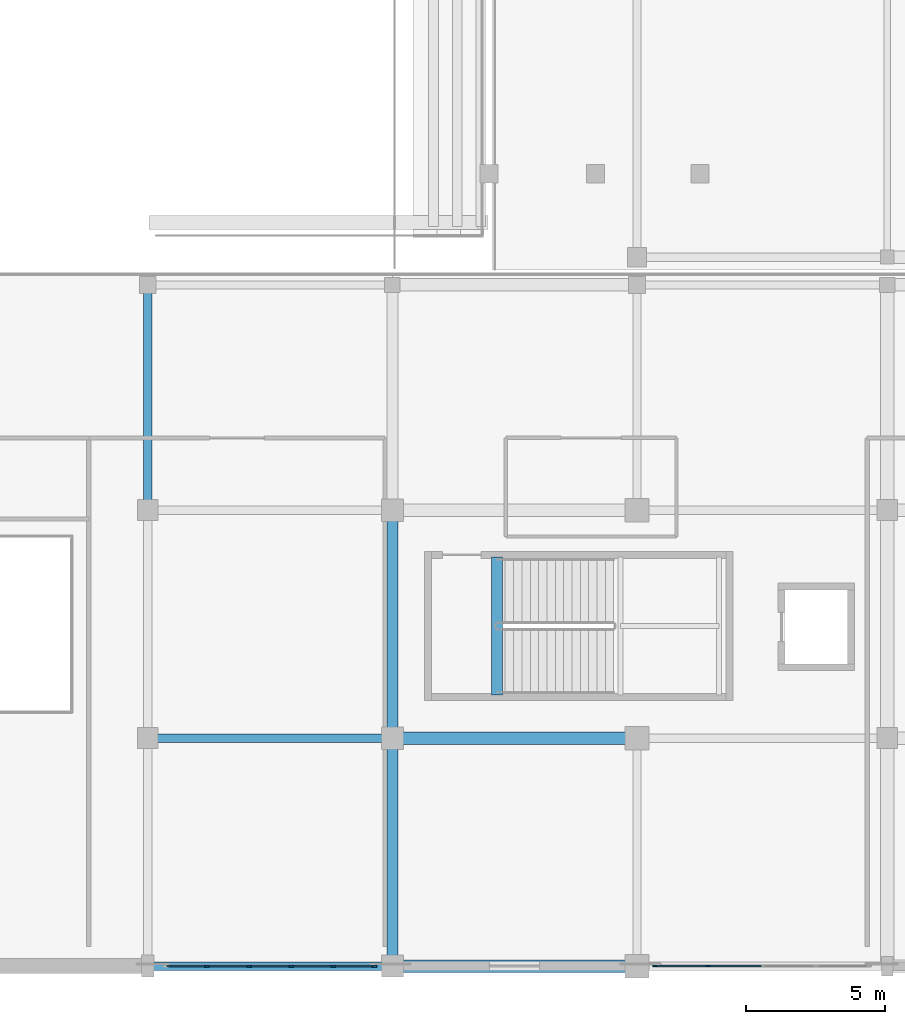
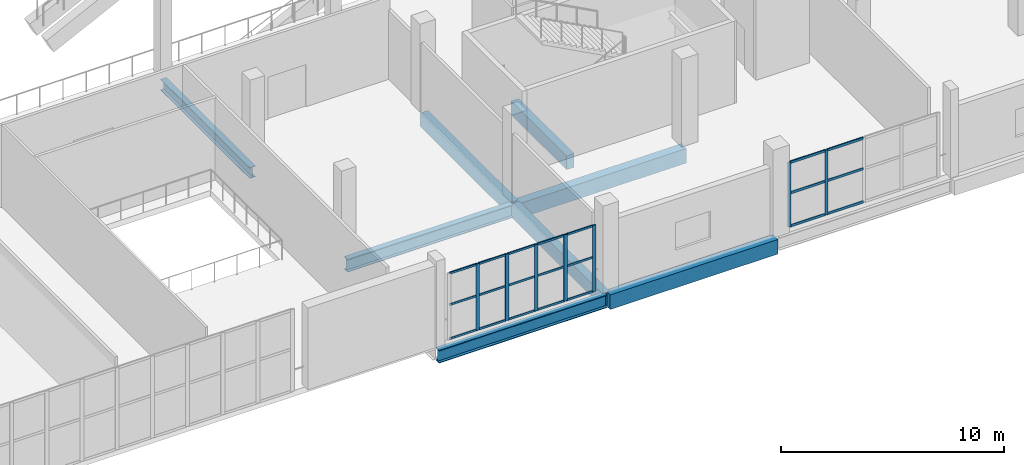
# One storey, part 33 of 129: 28 members, 8 beams, 2 elements without a shape of their own.
"""IFC4 building model written with IfcOpenShell, lengths in metres."""

from ifc_helpers import new_model, si_unit, direction, frame, origin, origin_2d, place, context, subcontext, project, spatial, rectangle, i_section, extrude, material, material_profile, profile_set, type_object, element, aggregate, save


model = new_model("IFC4")

# Units and contexts
model_context = context("Model", 3, precision=1e-05, world=origin(), true_north=direction((0.0, 1.0)))
body_context = subcontext(model_context, "Body", "Model", "MODEL_VIEW")
ifc_project = project(units=[si_unit("LENGTHUNIT", "METRE"), si_unit("AREAUNIT", "SQUARE_METRE"), si_unit("VOLUMEUNIT", "CUBIC_METRE"), si_unit("PLANEANGLEUNIT", "RADIAN"), si_unit("MASSUNIT", "GRAM", prefix="KILO")], contexts=[model_context])

# Site, building, storey
site_placement = place(None, origin())
site = spatial("IfcSite", under=ifc_project, at=site_placement, CompositionType="ELEMENT")
building_placement = place(site_placement, origin())
building = spatial("IfcBuilding", under=site, at=building_placement, Name="Koshinbarg Plaza Stadium", CompositionType="ELEMENT")
storey_placement = place(building_placement, frame((0.0, 0.0, 5.39990234375)))
storey = spatial("IfcBuildingStorey", under=building, at=storey_placement, Name="L01", CompositionType="ELEMENT", Elevation=5.39990234375)

# Beams
ifc_material_1 = material(Name="Concrete C40/50", Category="concrete")
ifc_material_profile_1 = material_profile(ifc_material_1, rectangle(XDim=0.39990234375, YDim=0.75, at=origin_2d()), Name="RC 400x750")
ifc_profile_set_1 = profile_set([ifc_material_profile_1], Name="Concrete C40/50")
beam_type_1 = type_object("IfcBeamType", Name="BM-RCG-03", PredefinedType="USERDEFINED", material=ifc_profile_set_1)
beam_1_placement = place(storey_placement, frame((171.60009765625, 0.06005859375, -0.69482421875), z_axis=(0.0, 1.0, 0.0), x_axis=(-1.0, 0.0, 0.0)))
element("IfcBeam", 1, at=beam_1_placement, inside=storey, type_object=beam_type_1, Name="L01 Y girder 16/A-B", ObjectType="GIRDER", PredefinedType="USERDEFINED", context=body_context, shape_type="SweptSolid", body=[
    extrude(rectangle(XDim=0.39990234375, YDim=0.75, at=origin_2d()), origin(), (0.0, 0.0, 1.0), 8.079833984375),
])
beam_2_placement = place(storey_placement, frame((171.60009765625, 8.260009765625, -0.69482421875), z_axis=(0.0, 1.0, 0.0), x_axis=(-1.0, 0.0, 0.0)))
element("IfcBeam", 2, at=beam_2_placement, inside=storey, type_object=beam_type_1, Name="L01 Y girder 16/B-C", ObjectType="GIRDER", PredefinedType="USERDEFINED", context=body_context, shape_type="SweptSolid", body=[
    extrude(rectangle(XDim=0.39990234375, YDim=0.75, at=origin_2d()), origin(), (0.0, 0.0, 1.0), 8.080078125),
])
beam_3_placement = place(storey_placement, frame((175.360107421875, 9.75, -0.375), z_axis=(0.0, 1.0, 0.0), x_axis=(-1.0, 0.0, 0.0)))
element("IfcBeam", 3, at=beam_3_placement, inside=storey, type_object=beam_type_1, Name="L01 stair landing header beam C14", ObjectType="GIRDER", PredefinedType="USERDEFINED", context=body_context, shape_type="SweptSolid", body=[
    extrude(rectangle(XDim=0.39990234375, YDim=0.75, at=origin_2d()), origin(), (0.0, 0.0, 1.0), 4.969970703125),
])
ifc_material_profile_2 = material_profile(ifc_material_1, rectangle(XDim=0.449951171875, YDim=0.800048828125, at=origin_2d()), Name="RC 450x800")
ifc_profile_set_2 = profile_set([ifc_material_profile_2], Name="Concrete C40/50")
beam_type_2 = type_object("IfcBeamType", Name="BM-RCG-04", PredefinedType="USERDEFINED", material=ifc_profile_set_2)
for number, where, z_axis, x_axis, name in (
    (4, (171.659912109375, 0.0, -0.719970703125), (1.0, 0.0, 0.0), (0.0, 1.0, 0.0), "L01 X girder A/16-17"),
    (5, (171.659912109375, 8.199951171875, -0.719970703125), (1.0, 0.0, 0.0), (0.0, 1.0, 0.0), "L01 X girder B/16-17"),
):
    element("IfcBeam", number, at=place(storey_placement, frame(where, z_axis=z_axis, x_axis=x_axis)), inside=storey, type_object=beam_type_2, Name=name, ObjectType="GIRDER", PredefinedType="USERDEFINED", context=body_context, shape_type="SweptSolid", body=[
        extrude(rectangle(XDim=0.449951171875, YDim=0.800048828125, at=origin_2d()), origin(), (0.0, 0.0, 1.0), 8.68017578125),
    ])
ifc_material_2 = material(Name="Steel S355", Category="steel")
ifc_material_profile_3 = material_profile(ifc_material_2, i_section(OverallWidth=0.300048828125, OverallDepth=0.60009765625, WebThickness=0.015380859375, FlangeThickness=0.030029296875, at=origin_2d()), Name="HEB 600")
ifc_profile_set_3 = profile_set([ifc_material_profile_3], Name="Steel S355")
beam_type_3 = type_object("IfcBeamType", Name="BM-SGIR-02", PredefinedType="USERDEFINED", material=ifc_profile_set_3)
beam_4_placement = place(storey_placement, frame((162.800048828125, 16.4599609375, -0.619873046875), z_axis=(0.0, 1.0, 0.0), x_axis=(-1.0, 0.0, 0.0)))
element("IfcBeam", 6, at=beam_4_placement, inside=storey, type_object=beam_type_3, Name="L01 Y girder 15/C-D", ObjectType="GIRDER", PredefinedType="USERDEFINED", context=body_context, shape_type="SweptSolid", body=[
    extrude(i_section(OverallWidth=0.300048828125, OverallDepth=0.60009765625, WebThickness=0.015380859375, FlangeThickness=0.030029296875, at=origin_2d()), origin(), (0.0, 0.0, 1.0), 7.97998046875),
])
ifc_material_profile_4 = material_profile(ifc_material_2, i_section(OverallWidth=0.300048828125, OverallDepth=0.699951171875, WebThickness=0.01708984375, FlangeThickness=0.031982421875, at=origin_2d()), Name="HEB 700")
ifc_profile_set_4 = profile_set([ifc_material_profile_4], Name="Steel S355")
beam_type_4 = type_object("IfcBeamType", Name="BM-SGIR-03", PredefinedType="USERDEFINED", material=ifc_profile_set_4)
for number, where, z_axis, x_axis, name in (
    (7, (162.860107421875, 0.0, -0.669921875), (1.0, 0.0, 0.0), (0.0, 1.0, 0.0), "L01 X girder A/15-16"),
    (8, (162.860107421875, 8.199951171875, -0.669921875), (1.0, 0.0, 0.0), (0.0, 1.0, 0.0), "L01 X girder B/15-16"),
):
    element("IfcBeam", number, at=place(storey_placement, frame(where, z_axis=z_axis, x_axis=x_axis)), inside=storey, type_object=beam_type_4, Name=name, ObjectType="GIRDER", PredefinedType="USERDEFINED", context=body_context, shape_type="SweptSolid", body=[
        extrude(i_section(OverallWidth=0.300048828125, OverallDepth=0.699951171875, WebThickness=0.01708984375, FlangeThickness=0.031982421875, at=origin_2d()), origin(), (0.0, 0.0, 1.0), 8.679931640625),
    ])

# Curtain wall, members
ifc_material_3 = material(Name="Thermally broken anodised aluminium and low-E double glazing", Category="aluminium")
curtain_wall_type_1 = type_object("IfcCurtainWallType", Name="CW-SYS-14", PredefinedType="NOTDEFINED", material=ifc_material_3)
curtain_wall_1_placement = place(storey_placement, origin())
curtain_wall_1 = element("IfcCurtainWall", 9, at=curtain_wall_1_placement, inside=storey, type_object=curtain_wall_type_1, Name="L01 unitised curtain wall CW-L01-029", PredefinedType="NOTDEFINED")
ifc_material_4 = material(Name="Anodised aluminium mullion", Category="aluminium")
ifc_material_profile_5 = material_profile(ifc_material_4, rectangle(XDim=0.06005859375, YDim=0.159912109375, at=origin_2d()), Name="ALU 60x160")
ifc_profile_set_5 = profile_set([ifc_material_profile_5], Name="Anodised aluminium mullion")
member_type_1 = type_object("IfcMemberType", Name="CW-MUL-02", PredefinedType="MULLION", material=ifc_profile_set_5)
member_1_placement = place(storey_placement, frame((182.9599609375, 0.0, 0.0), z_axis=(0.0, 0.0, 1.0), x_axis=(0.0, -1.0, 0.0)))
member_1 = element("IfcMember", 10, at=member_1_placement, type_object=member_type_1, Name="CW14 mullion 4", PredefinedType="MULLION", context=body_context, shape_type="SweptSolid", body=[
    extrude(rectangle(XDim=0.06005859375, YDim=0.159912109375, at=origin_2d()), origin(), (0.0, 0.0, 1.0), 3.530029296875),
])
member_2_placement = place(storey_placement, frame((181.050048828125, 0.0, 0.0), z_axis=(0.0, 0.0, 1.0), x_axis=(0.0, -1.0, 0.0)))
member_2 = element("IfcMember", 11, at=member_2_placement, type_object=member_type_1, Name="CW14 mullion 5", PredefinedType="MULLION", context=body_context, shape_type="SweptSolid", body=[
    extrude(rectangle(XDim=0.06005859375, YDim=0.159912109375, at=origin_2d()), origin(), (0.0, 0.0, 1.0), 3.530029296875),
])

curtain_wall_type_2 = type_object("IfcCurtainWallType", Name="CW-SYS-15", PredefinedType="NOTDEFINED", material=ifc_material_3)
curtain_wall_2_placement = place(storey_placement, origin())
curtain_wall_2 = element("IfcCurtainWall", 12, at=curtain_wall_2_placement, inside=storey, type_object=curtain_wall_type_2, Name="L01 unitised curtain wall CW-L01-030", PredefinedType="NOTDEFINED")
ifc_material_profile_6 = material_profile(ifc_material_4, rectangle(XDim=0.070068359375, YDim=0.179931640625, at=origin_2d()), Name="ALU 70x180")
ifc_profile_set_6 = profile_set([ifc_material_profile_6], Name="Anodised aluminium mullion")
member_type_2 = type_object("IfcMemberType", Name="CW-MUL-03", PredefinedType="MULLION", material=ifc_profile_set_6)
member_3_placement = place(storey_placement, frame((170.949951171875, 0.0, 0.0), z_axis=(0.0, 0.0, 1.0), x_axis=(0.0, -1.0, 0.0)))
member_3 = element("IfcMember", 13, at=member_3_placement, type_object=member_type_2, Name="CW15 mullion 1", PredefinedType="MULLION", context=body_context, shape_type="SweptSolid", body=[
    extrude(rectangle(XDim=0.070068359375, YDim=0.179931640625, at=origin_2d()), origin(), (0.0, 0.0, 1.0), 3.630126953125),
])
member_4_placement = place(storey_placement, frame((169.468017578125, 0.0, 0.0), z_axis=(0.0, 0.0, 1.0), x_axis=(0.0, -1.0, 0.0)))
member_4 = element("IfcMember", 14, at=member_4_placement, type_object=member_type_2, Name="CW15 mullion 2", PredefinedType="MULLION", context=body_context, shape_type="SweptSolid", body=[
    extrude(rectangle(XDim=0.070068359375, YDim=0.179931640625, at=origin_2d()), origin(), (0.0, 0.0, 1.0), 3.630126953125),
])
member_5_placement = place(storey_placement, frame((167.9560546875, 0.0, 0.0), z_axis=(0.0, 0.0, 1.0), x_axis=(0.0, -1.0, 0.0)))
member_5 = element("IfcMember", 15, at=member_5_placement, type_object=member_type_2, Name="CW15 mullion 3", PredefinedType="MULLION", context=body_context, shape_type="SweptSolid", body=[
    extrude(rectangle(XDim=0.070068359375, YDim=0.179931640625, at=origin_2d()), origin(), (0.0, 0.0, 1.0), 3.630126953125),
])
member_6_placement = place(storey_placement, frame((166.444091796875, 0.0, 0.0), z_axis=(0.0, 0.0, 1.0), x_axis=(0.0, -1.0, 0.0)))
member_6 = element("IfcMember", 16, at=member_6_placement, type_object=member_type_2, Name="CW15 mullion 4", PredefinedType="MULLION", context=body_context, shape_type="SweptSolid", body=[
    extrude(rectangle(XDim=0.070068359375, YDim=0.179931640625, at=origin_2d()), origin(), (0.0, 0.0, 1.0), 3.630126953125),
])
member_7_placement = place(storey_placement, frame((164.931884765625, 0.0, 0.0), z_axis=(0.0, 0.0, 1.0), x_axis=(0.0, -1.0, 0.0)))
member_7 = element("IfcMember", 17, at=member_7_placement, type_object=member_type_2, Name="CW15 mullion 5", PredefinedType="MULLION", context=body_context, shape_type="SweptSolid", body=[
    extrude(rectangle(XDim=0.070068359375, YDim=0.179931640625, at=origin_2d()), origin(), (0.0, 0.0, 1.0), 3.630126953125),
])
ifc_material_5 = material(Name="Anodised aluminium transom", Category="aluminium")
ifc_material_profile_7 = material_profile(ifc_material_5, rectangle(XDim=0.06005859375, YDim=0.110107421875, at=origin_2d()), Name="ALU 60x110")
ifc_profile_set_7 = profile_set([ifc_material_profile_7], Name="Anodised aluminium transom")
member_type_3 = type_object("IfcMemberType", Name="CW-TRN-01", PredefinedType="USERDEFINED", material=ifc_profile_set_7)
member_8_placement = place(storey_placement, frame((170.919921875, 0.0, 0.030029296875), z_axis=(-1.0, 0.0, 0.0), x_axis=(0.0, -1.0, 0.0)))
member_8 = element("IfcMember", 18, at=member_8_placement, type_object=member_type_3, Name="CW15 transom 1.1", ObjectType="TRANSOM", PredefinedType="USERDEFINED", context=body_context, shape_type="SweptSolid", body=[
    extrude(rectangle(XDim=0.06005859375, YDim=0.110107421875, at=origin_2d()), origin(), (0.0, 0.0, 1.0), 1.421875),
])
member_9_placement = place(storey_placement, frame((170.919921875, 0.0, 1.8876953125), z_axis=(-1.0, 0.0, 0.0), x_axis=(0.0, -1.0, 0.0)))
member_9 = element("IfcMember", 19, at=member_9_placement, type_object=member_type_3, Name="CW15 transom 1.2", ObjectType="TRANSOM", PredefinedType="USERDEFINED", context=body_context, shape_type="SweptSolid", body=[
    extrude(rectangle(XDim=0.06005859375, YDim=0.110107421875, at=origin_2d()), origin(), (0.0, 0.0, 1.0), 1.421875),
])
member_10_placement = place(storey_placement, frame((170.919921875, 0.0, 3.60009765625), z_axis=(-1.0, 0.0, 0.0), x_axis=(0.0, -1.0, 0.0)))
member_10 = element("IfcMember", 20, at=member_10_placement, type_object=member_type_3, Name="CW15 transom 1.3", ObjectType="TRANSOM", PredefinedType="USERDEFINED", context=body_context, shape_type="SweptSolid", body=[
    extrude(rectangle(XDim=0.06005859375, YDim=0.110107421875, at=origin_2d()), origin(), (0.0, 0.0, 1.0), 1.421875),
])
member_11_placement = place(storey_placement, frame((169.43798828125, 0.0, 0.030029296875), z_axis=(-1.0, 0.0, 0.0), x_axis=(0.0, -1.0, 0.0)))
member_11 = element("IfcMember", 21, at=member_11_placement, type_object=member_type_3, Name="CW15 transom 2.1", ObjectType="TRANSOM", PredefinedType="USERDEFINED", context=body_context, shape_type="SweptSolid", body=[
    extrude(rectangle(XDim=0.06005859375, YDim=0.110107421875, at=origin_2d()), origin(), (0.0, 0.0, 1.0), 1.451904296875),
])
member_12_placement = place(storey_placement, frame((169.43798828125, 0.0, 1.8876953125), z_axis=(-1.0, 0.0, 0.0), x_axis=(0.0, -1.0, 0.0)))
member_12 = element("IfcMember", 22, at=member_12_placement, type_object=member_type_3, Name="CW15 transom 2.2", ObjectType="TRANSOM", PredefinedType="USERDEFINED", context=body_context, shape_type="SweptSolid", body=[
    extrude(rectangle(XDim=0.06005859375, YDim=0.110107421875, at=origin_2d()), origin(), (0.0, 0.0, 1.0), 1.451904296875),
])
member_13_placement = place(storey_placement, frame((169.43798828125, 0.0, 3.60009765625), z_axis=(-1.0, 0.0, 0.0), x_axis=(0.0, -1.0, 0.0)))
member_13 = element("IfcMember", 23, at=member_13_placement, type_object=member_type_3, Name="CW15 transom 2.3", ObjectType="TRANSOM", PredefinedType="USERDEFINED", context=body_context, shape_type="SweptSolid", body=[
    extrude(rectangle(XDim=0.06005859375, YDim=0.110107421875, at=origin_2d()), origin(), (0.0, 0.0, 1.0), 1.451904296875),
])
member_14_placement = place(storey_placement, frame((167.926025390625, 0.0, 0.030029296875), z_axis=(-1.0, 0.0, 0.0), x_axis=(0.0, -1.0, 0.0)))
member_14 = element("IfcMember", 24, at=member_14_placement, type_object=member_type_3, Name="CW15 transom 3.1", ObjectType="TRANSOM", PredefinedType="USERDEFINED", context=body_context, shape_type="SweptSolid", body=[
    extrude(rectangle(XDim=0.06005859375, YDim=0.110107421875, at=origin_2d()), origin(), (0.0, 0.0, 1.0), 1.451904296875),
])
member_15_placement = place(storey_placement, frame((167.926025390625, 0.0, 1.8876953125), z_axis=(-1.0, 0.0, 0.0), x_axis=(0.0, -1.0, 0.0)))
member_15 = element("IfcMember", 25, at=member_15_placement, type_object=member_type_3, Name="CW15 transom 3.2", ObjectType="TRANSOM", PredefinedType="USERDEFINED", context=body_context, shape_type="SweptSolid", body=[
    extrude(rectangle(XDim=0.06005859375, YDim=0.110107421875, at=origin_2d()), origin(), (0.0, 0.0, 1.0), 1.451904296875),
])
member_16_placement = place(storey_placement, frame((167.926025390625, 0.0, 3.60009765625), z_axis=(-1.0, 0.0, 0.0), x_axis=(0.0, -1.0, 0.0)))
member_16 = element("IfcMember", 26, at=member_16_placement, type_object=member_type_3, Name="CW15 transom 3.3", ObjectType="TRANSOM", PredefinedType="USERDEFINED", context=body_context, shape_type="SweptSolid", body=[
    extrude(rectangle(XDim=0.06005859375, YDim=0.110107421875, at=origin_2d()), origin(), (0.0, 0.0, 1.0), 1.451904296875),
])
member_17_placement = place(storey_placement, frame((166.4140625, 0.0, 0.030029296875), z_axis=(-1.0, 0.0, 0.0), x_axis=(0.0, -1.0, 0.0)))
member_17 = element("IfcMember", 27, at=member_17_placement, type_object=member_type_3, Name="CW15 transom 4.1", ObjectType="TRANSOM", PredefinedType="USERDEFINED", context=body_context, shape_type="SweptSolid", body=[
    extrude(rectangle(XDim=0.06005859375, YDim=0.110107421875, at=origin_2d()), origin(), (0.0, 0.0, 1.0), 1.4521484375),
])
member_18_placement = place(storey_placement, frame((166.4140625, 0.0, 1.8876953125), z_axis=(-1.0, 0.0, 0.0), x_axis=(0.0, -1.0, 0.0)))
member_18 = element("IfcMember", 28, at=member_18_placement, type_object=member_type_3, Name="CW15 transom 4.2", ObjectType="TRANSOM", PredefinedType="USERDEFINED", context=body_context, shape_type="SweptSolid", body=[
    extrude(rectangle(XDim=0.06005859375, YDim=0.110107421875, at=origin_2d()), origin(), (0.0, 0.0, 1.0), 1.4521484375),
])
member_19_placement = place(storey_placement, frame((166.4140625, 0.0, 3.60009765625), z_axis=(-1.0, 0.0, 0.0), x_axis=(0.0, -1.0, 0.0)))
member_19 = element("IfcMember", 29, at=member_19_placement, type_object=member_type_3, Name="CW15 transom 4.3", ObjectType="TRANSOM", PredefinedType="USERDEFINED", context=body_context, shape_type="SweptSolid", body=[
    extrude(rectangle(XDim=0.06005859375, YDim=0.110107421875, at=origin_2d()), origin(), (0.0, 0.0, 1.0), 1.4521484375),
])
member_20_placement = place(storey_placement, frame((164.902099609375, 0.0, 0.030029296875), z_axis=(-1.0, 0.0, 0.0), x_axis=(0.0, -1.0, 0.0)))
member_20 = element("IfcMember", 30, at=member_20_placement, type_object=member_type_3, Name="CW15 transom 5.1", ObjectType="TRANSOM", PredefinedType="USERDEFINED", context=body_context, shape_type="SweptSolid", body=[
    extrude(rectangle(XDim=0.06005859375, YDim=0.110107421875, at=origin_2d()), origin(), (0.0, 0.0, 1.0), 1.422119140625),
])
member_21_placement = place(storey_placement, frame((164.902099609375, 0.0, 1.8876953125), z_axis=(-1.0, 0.0, 0.0), x_axis=(0.0, -1.0, 0.0)))
member_21 = element("IfcMember", 31, at=member_21_placement, type_object=member_type_3, Name="CW15 transom 5.2", ObjectType="TRANSOM", PredefinedType="USERDEFINED", context=body_context, shape_type="SweptSolid", body=[
    extrude(rectangle(XDim=0.06005859375, YDim=0.110107421875, at=origin_2d()), origin(), (0.0, 0.0, 1.0), 1.422119140625),
])
member_22_placement = place(storey_placement, frame((164.902099609375, 0.0, 3.60009765625), z_axis=(-1.0, 0.0, 0.0), x_axis=(0.0, -1.0, 0.0)))
member_22 = element("IfcMember", 32, at=member_22_placement, type_object=member_type_3, Name="CW15 transom 5.3", ObjectType="TRANSOM", PredefinedType="USERDEFINED", context=body_context, shape_type="SweptSolid", body=[
    extrude(rectangle(XDim=0.06005859375, YDim=0.110107421875, at=origin_2d()), origin(), (0.0, 0.0, 1.0), 1.422119140625),
])
aggregate(curtain_wall_2, [member_3, member_4, member_5, member_6, member_7, member_8, member_9, member_10, member_11, member_12, member_13, member_14, member_15, member_16, member_17, member_18, member_19, member_20, member_21, member_22])

# Member
ifc_material_profile_8 = material_profile(ifc_material_5, rectangle(XDim=0.06005859375, YDim=0.1298828125, at=origin_2d()), Name="ALU 60x130")
ifc_profile_set_8 = profile_set([ifc_material_profile_8], Name="Anodised aluminium transom")
member_type_4 = type_object("IfcMemberType", Name="CW-TRN-02", PredefinedType="USERDEFINED", material=ifc_profile_set_8)
member_23_placement = place(storey_placement, frame((184.8701171875, 0.0, 0.030029296875), z_axis=(-1.0, 0.0, 0.0), x_axis=(0.0, -1.0, 0.0)))
member_23 = element("IfcMember", 33, at=member_23_placement, type_object=member_type_4, Name="CW14 transom 3.1", ObjectType="TRANSOM", PredefinedType="USERDEFINED", context=body_context, shape_type="SweptSolid", body=[
    extrude(rectangle(XDim=0.06005859375, YDim=0.1298828125, at=origin_2d()), origin(), (0.0, 0.0, 1.0), 1.880126953125),
])

member_24_placement = place(storey_placement, frame((184.8701171875, 0.0, 1.835693359375), z_axis=(-1.0, 0.0, 0.0), x_axis=(0.0, -1.0, 0.0)))
member_24 = element("IfcMember", 34, at=member_24_placement, type_object=member_type_4, Name="CW14 transom 3.2", ObjectType="TRANSOM", PredefinedType="USERDEFINED", context=body_context, shape_type="SweptSolid", body=[
    extrude(rectangle(XDim=0.06005859375, YDim=0.1298828125, at=origin_2d()), origin(), (0.0, 0.0, 1.0), 1.880126953125),
])

member_25_placement = place(storey_placement, frame((184.8701171875, 0.0, 3.5), z_axis=(-1.0, 0.0, 0.0), x_axis=(0.0, -1.0, 0.0)))
member_25 = element("IfcMember", 35, at=member_25_placement, type_object=member_type_4, Name="CW14 transom 3.3", ObjectType="TRANSOM", PredefinedType="USERDEFINED", context=body_context, shape_type="SweptSolid", body=[
    extrude(rectangle(XDim=0.06005859375, YDim=0.1298828125, at=origin_2d()), origin(), (0.0, 0.0, 1.0), 1.880126953125),
])

member_26_placement = place(storey_placement, frame((182.929931640625, 0.0, 0.030029296875), z_axis=(-1.0, 0.0, 0.0), x_axis=(0.0, -1.0, 0.0)))
member_26 = element("IfcMember", 36, at=member_26_placement, type_object=member_type_4, Name="CW14 transom 4.1", ObjectType="TRANSOM", PredefinedType="USERDEFINED", context=body_context, shape_type="SweptSolid", body=[
    extrude(rectangle(XDim=0.06005859375, YDim=0.1298828125, at=origin_2d()), origin(), (0.0, 0.0, 1.0), 1.849853515625),
])

member_27_placement = place(storey_placement, frame((182.929931640625, 0.0, 1.835693359375), z_axis=(-1.0, 0.0, 0.0), x_axis=(0.0, -1.0, 0.0)))
member_27 = element("IfcMember", 37, at=member_27_placement, type_object=member_type_4, Name="CW14 transom 4.2", ObjectType="TRANSOM", PredefinedType="USERDEFINED", context=body_context, shape_type="SweptSolid", body=[
    extrude(rectangle(XDim=0.06005859375, YDim=0.1298828125, at=origin_2d()), origin(), (0.0, 0.0, 1.0), 1.849853515625),
])

member_28_placement = place(storey_placement, frame((182.929931640625, 0.0, 3.5), z_axis=(-1.0, 0.0, 0.0), x_axis=(0.0, -1.0, 0.0)))
member_28 = element("IfcMember", 38, at=member_28_placement, type_object=member_type_4, Name="CW14 transom 4.3", ObjectType="TRANSOM", PredefinedType="USERDEFINED", context=body_context, shape_type="SweptSolid", body=[
    extrude(rectangle(XDim=0.06005859375, YDim=0.1298828125, at=origin_2d()), origin(), (0.0, 0.0, 1.0), 1.849853515625),
])

aggregate(curtain_wall_1, [member_1, member_2, member_23, member_24, member_25, member_26, member_27, member_28])

save(model, "model.ifc")
